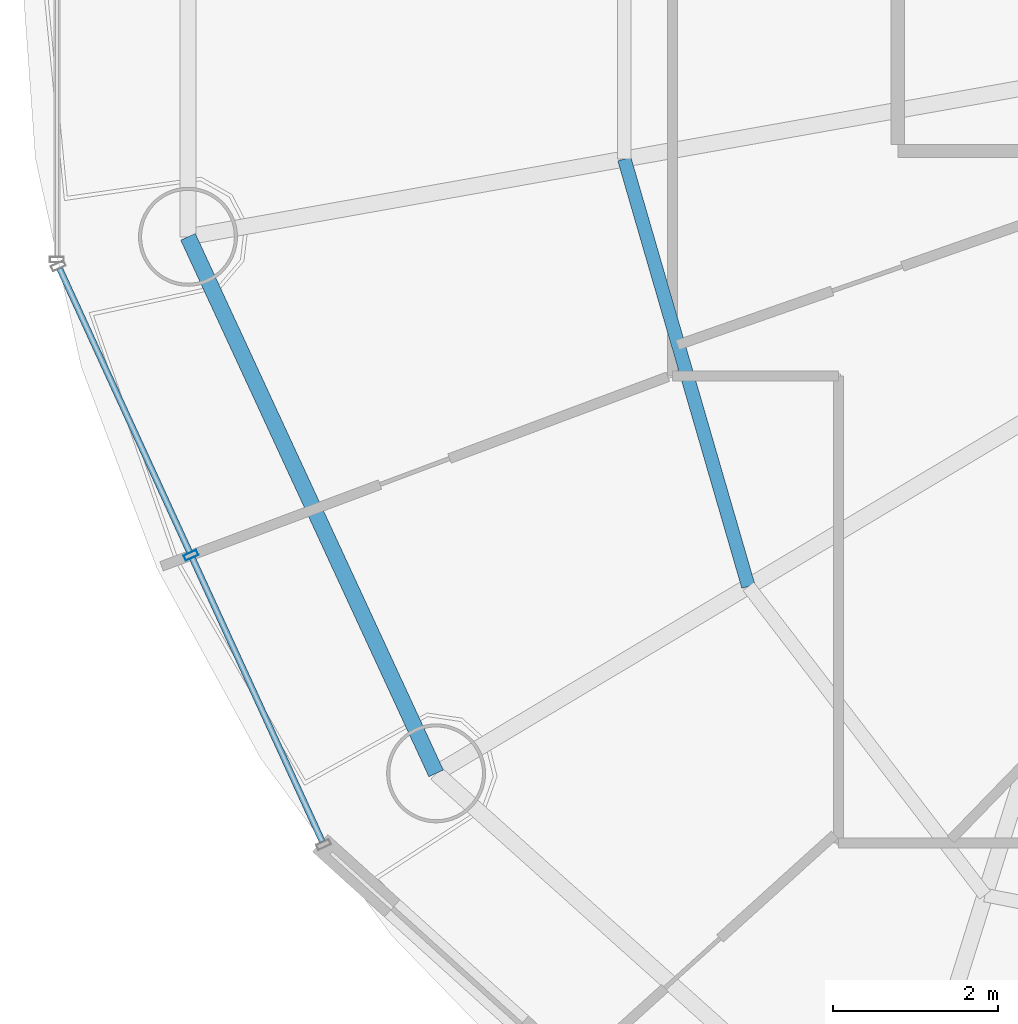
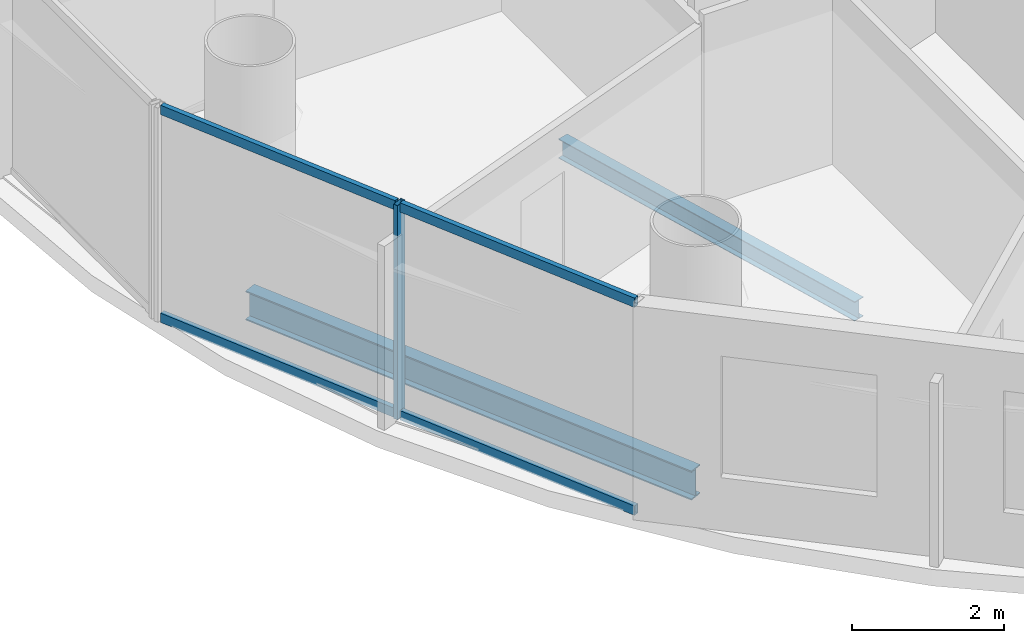
# One storey, part 3 of 26: 5 members, 2 beams, 1 element without a shape of its own.
"""IFC4 building model written with IfcOpenShell, lengths in metres."""

from ifc_helpers import new_model, si_unit, direction, frame, origin, origin_2d, place, context, subcontext, project, spatial, hollow_rectangle, i_section, extrude, source, transform, mapped, material, material_profile, profile_set, type_object, element, aggregate, save


model = new_model("IFC4")

# Units and contexts
model_context = context("Model", 3, precision=1e-05, world=origin(), true_north=direction((-0.2419218956, 0.970295726276)))
body_context = subcontext(model_context, "Body", "Model", "MODEL_VIEW")
ifc_project = project(units=[si_unit("LENGTHUNIT", "METRE"), si_unit("AREAUNIT", "SQUARE_METRE"), si_unit("VOLUMEUNIT", "CUBIC_METRE"), si_unit("PLANEANGLEUNIT", "RADIAN"), si_unit("MASSUNIT", "GRAM", prefix="KILO")], contexts=[model_context])

# Site, building, storey
site_placement = place(None, origin())
site = spatial("IfcSite", under=ifc_project, at=site_placement, CompositionType="ELEMENT")
building_placement = place(site_placement, origin())
building = spatial("IfcBuilding", under=site, at=building_placement, Name="Cobrevalo Terracotta Tower", CompositionType="ELEMENT")
storey_placement = place(building_placement, frame((0.0, 0.0, 231.89990234375)))
storey = spatial("IfcBuildingStorey", under=building, at=storey_placement, Name="L61", CompositionType="ELEMENT", Elevation=231.89990234375)

# Beams
ifc_material_1 = material(Name="Steel S355", Category="steel")
ifc_material_profile_1 = material_profile(ifc_material_1, i_section(OverallWidth=0.1650390625, OverallDepth=0.31005859375, WebThickness=0.005859375, FlangeThickness=0.009765625, at=origin_2d()), Name="W 310x38.7")
ifc_profile_set_1 = profile_set([ifc_material_profile_1], Name="Steel S355")
beam_type_1 = type_object("IfcBeamType", Name="Structural Joist W 310x38.7 (Steel S355)", PredefinedType="JOIST", material=ifc_profile_set_1)
beam_1_placement = place(storey_placement, frame((23.528564453125, 24.221435546875, -0.419921875), z_axis=(0.278757705995, -0.960361463902, 0.0), x_axis=(0.960361463902, 0.278757705995, 0.0)))
element("IfcBeam", 1, at=beam_1_placement, inside=storey, type_object=beam_type_1, Name="L61 circumferential secondary floor joist 09", PredefinedType="JOIST", context=body_context, shape_type="SweptSolid", body=[
    extrude(i_section(OverallWidth=0.1650390625, OverallDepth=0.31005859375, WebThickness=0.005859375, FlangeThickness=0.009765625, at=origin_2d()), origin(), (0.0, 0.0, 1.0), 5.396728515625),
])
ifc_material_profile_2 = material_profile(ifc_material_1, i_section(OverallWidth=0.194091796875, OverallDepth=0.468994140625, WebThickness=0.011474609375, FlangeThickness=0.0205078125, at=origin_2d()), Name="W 460x106")
ifc_profile_set_2 = profile_set([ifc_material_profile_2], Name="Steel S355")
beam_type_2 = type_object("IfcBeamType", Name="Structural Spandrel W 460x106 (Steel S355)", PredefinedType="SPANDREL", material=ifc_profile_set_2)
beam_2_placement = place(storey_placement, frame((18.237060546875, 23.278564453125, -0.49951171875), z_axis=(0.419718939129, -0.90765412583, 0.0), x_axis=(0.90765412583, 0.419718939129, 0.0)))
element("IfcBeam", 2, at=beam_2_placement, inside=storey, type_object=beam_type_2, Name="L61 perimeter ring spandrel 09", PredefinedType="SPANDREL", context=body_context, shape_type="SweptSolid", body=[
    extrude(i_section(OverallWidth=0.194091796875, OverallDepth=0.468994140625, WebThickness=0.011474609375, FlangeThickness=0.0205078125, at=origin_2d()), origin(), (0.0, 0.0, 1.0), 7.168701171875),
])

# Curtain wall, members
ifc_material_2 = material(Name="Anodized aluminium", Category="aluminium")
curtain_wall_type = type_object("IfcCurtainWallType", Name="Mid-tower high-wind unitised curtain wall CW-U2", PredefinedType="NOTDEFINED", material=ifc_material_2)
curtain_wall_placement = place(storey_placement, origin())
curtain_wall = element("IfcCurtainWall", 3, at=curtain_wall_placement, inside=storey, type_object=curtain_wall_type, Name="L61 curtain wall CW-L61-S09", PredefinedType="NOTDEFINED")
ifc_material_profile_3 = material_profile(ifc_material_2, hollow_rectangle(XDim=0.074951171875, YDim=0.14990234375, WallThickness=0.00439453125, at=origin_2d()), Name="CWT 75x150")
ifc_profile_set_3 = profile_set([ifc_material_profile_3], Name="Anodized aluminium")
member_type_1 = type_object("IfcMemberType", Name="Tower unitised aluminium transom 75x150", PredefinedType="USERDEFINED", material=ifc_profile_set_3)
shared_shape_1 = source(origin(), body_context, "Body", "SweptSolid", [
    extrude(hollow_rectangle(XDim=0.074951171875, YDim=0.14990234375, WallThickness=0.00439453125, at=origin_2d()), origin(), (0.0, 0.0, 1.0), 3.780029296875),
])
member_1_placement = place(storey_placement, frame((16.681640625, 22.889892578125, 0.050048828125), z_axis=(0.416705859352, -0.909041377926, 0.0), x_axis=(0.909041377926, 0.416705859352, 0.0)))
member_1 = element("IfcMember", 4, at=member_1_placement, type_object=member_type_1, Name="CW-L61-S09 transom B01-T1", ObjectType="TRANSOM", PredefinedType="USERDEFINED", context=body_context, shape_type="MappedRepresentation", body=[
    mapped(shared_shape_1, transform((0.0, 0.0, 0.0), scale=1.0)),
])
member_2_placement = place(storey_placement, frame((16.681640625, 22.889892578125, 3.385009765625), z_axis=(0.416705859352, -0.909041377926, 0.0), x_axis=(0.909041377926, 0.416705859352, 0.0)))
member_2 = element("IfcMember", 5, at=member_2_placement, type_object=member_type_1, Name="CW-L61-S09 transom B01-T2", ObjectType="TRANSOM", PredefinedType="USERDEFINED", context=body_context, shape_type="MappedRepresentation", body=[
    mapped(shared_shape_1, transform((0.0, 0.0, 0.0), scale=1.0)),
])
member_3_placement = place(storey_placement, frame((18.290283203125, 19.380859375, 0.050048828125), z_axis=(0.416705859352, -0.909041377926, 0.0), x_axis=(0.909041377926, 0.416705859352, 0.0)))
member_3 = element("IfcMember", 6, at=member_3_placement, type_object=member_type_1, Name="CW-L61-S09 transom B02-T1", ObjectType="TRANSOM", PredefinedType="USERDEFINED", context=body_context, shape_type="MappedRepresentation", body=[
    mapped(shared_shape_1, transform((0.0, 0.0, 0.0), scale=1.0)),
])
member_4_placement = place(storey_placement, frame((18.290283203125, 19.380859375, 3.385009765625), z_axis=(0.416705859352, -0.909041377926, 0.0), x_axis=(0.909041377926, 0.416705859352, 0.0)))
member_4 = element("IfcMember", 7, at=member_4_placement, type_object=member_type_1, Name="CW-L61-S09 transom B02-T2", ObjectType="TRANSOM", PredefinedType="USERDEFINED", context=body_context, shape_type="MappedRepresentation", body=[
    mapped(shared_shape_1, transform((0.0, 0.0, 0.0), scale=1.0)),
])
ifc_material_profile_4 = material_profile(ifc_material_2, hollow_rectangle(XDim=0.070068359375, YDim=0.169921875, WallThickness=0.00439453125, at=origin_2d()), Name="CWM 70x170")
ifc_profile_set_4 = profile_set([ifc_material_profile_4], Name="Anodized aluminium")
member_type_2 = type_object("IfcMemberType", Name="Upper tower unitised mullion 70x170", PredefinedType="MULLION", material=ifc_profile_set_4)
shared_shape_2 = source(origin(), body_context, "Body", "SweptSolid", [
    extrude(hollow_rectangle(XDim=0.070068359375, YDim=0.169921875, WallThickness=0.00439453125, at=origin_2d()), origin(), (0.0, 0.0, 1.0), 3.43505859375),
])
member_5_placement = place(storey_placement, frame((18.273681640625, 19.417236328125, 0.0), z_axis=(0.0, 0.0, 1.0), x_axis=(0.41672507912, -0.909032567311, 0.0)))
member_5 = element("IfcMember", 8, at=member_5_placement, type_object=member_type_2, Name="CW-L61-S09 vertical mullion 02", PredefinedType="MULLION", context=body_context, shape_type="MappedRepresentation", body=[
    mapped(shared_shape_2, transform((0.0, 0.0, 0.0), scale=1.0)),
])
aggregate(curtain_wall, [member_5, member_1, member_2, member_3, member_4])

save(model, "model.ifc")
